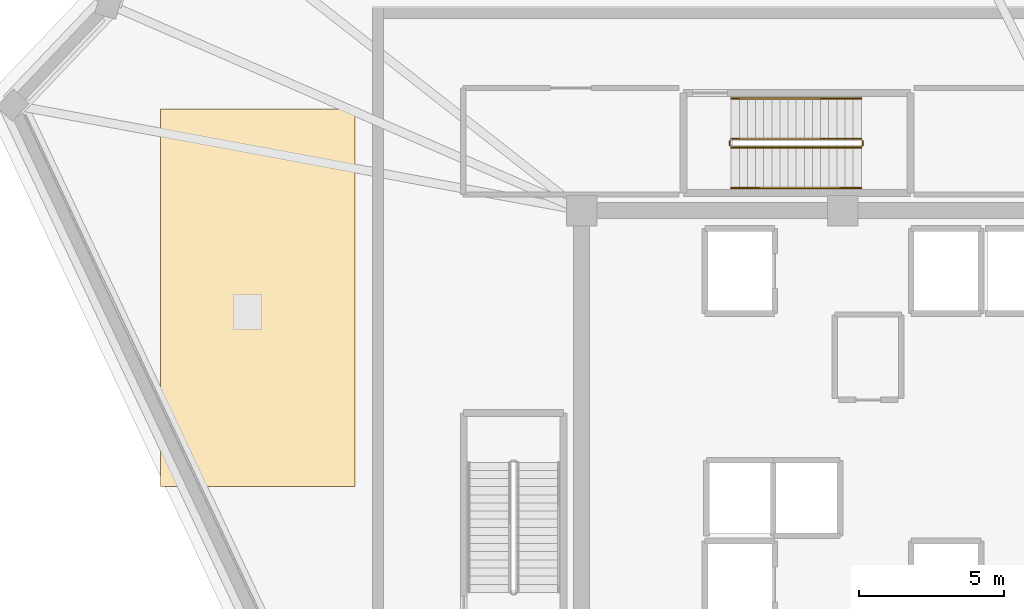
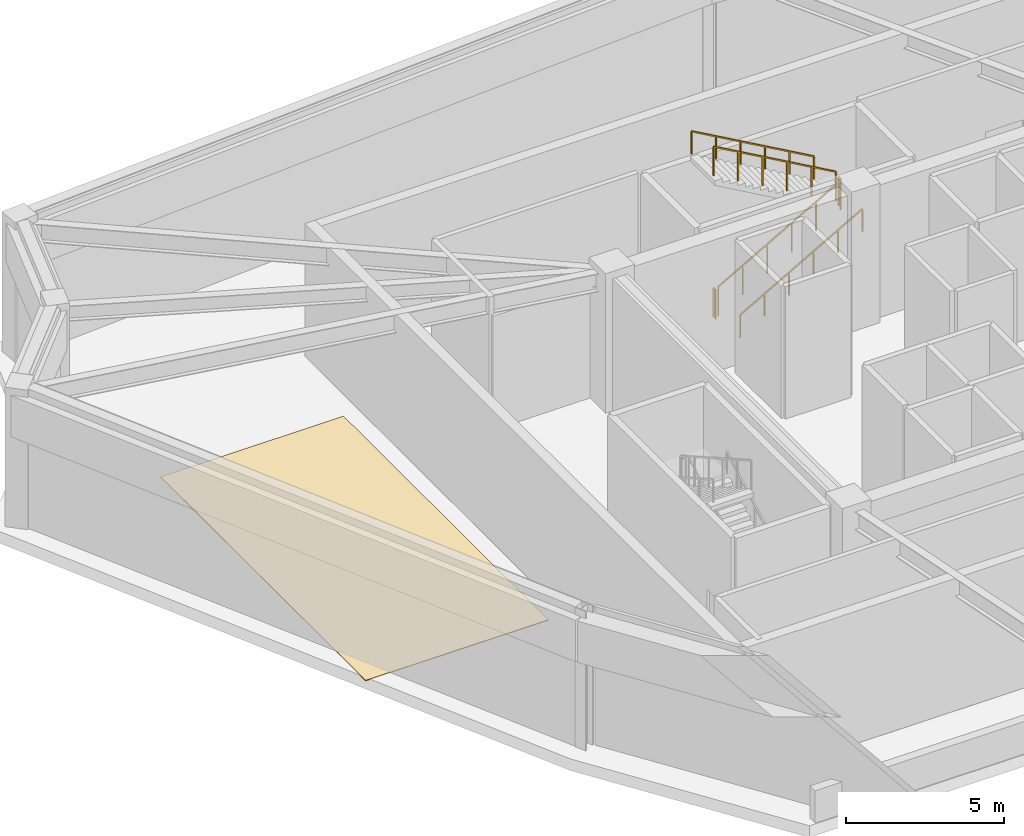
# One storey, part 8 of 8: 6 railings, 1 covering.
"""IFC4 building model written with IfcOpenShell, lengths in metres."""

from ifc_helpers import new_model, si_unit, direction, frame, origin, origin_2d, place, context, subcontext, project, spatial, polyline, rectangle, outline, extrude, material, layer, layer_set, type_object, element, save


model = new_model("IFC4")

# Units and contexts
model_context = context("Model", 3, precision=1e-05, world=origin(), true_north=direction((0.0, 1.0)))
body_context = subcontext(model_context, "Body", "Model", "MODEL_VIEW")
ifc_project = project(units=[si_unit("LENGTHUNIT", "METRE"), si_unit("AREAUNIT", "SQUARE_METRE"), si_unit("VOLUMEUNIT", "CUBIC_METRE"), si_unit("PLANEANGLEUNIT", "RADIAN"), si_unit("MASSUNIT", "GRAM", prefix="KILO")], contexts=[model_context])

# Site, building, storey
site_placement = place(None, origin())
site = spatial("IfcSite", under=ifc_project, at=site_placement, CompositionType="ELEMENT")
building_placement = place(site_placement, origin())
building = spatial("IfcBuilding", under=site, at=building_placement, Name="Liaohun Quay Tower", CompositionType="ELEMENT")
storey_placement = place(building_placement, frame((0.0, 0.0, 360.60009765625)))
storey = spatial("IfcBuildingStorey", under=building, at=storey_placement, Name="L93", CompositionType="ELEMENT", Elevation=360.60009765625)

# Covering
ifc_material_1 = material(Name="SBS waterproof membrane and extruded polystyrene insulation")
ifc_layer = layer(ifc_material_1, 0.030029296875, Name="SBS waterproof membrane and extruded polystyrene insulation")
ifc_layer_set = layer_set([ifc_layer], Name="SBS waterproof membrane and extruded polystyrene insulation")
covering_type = type_object("IfcCoveringType", Name="COV-ROOF-MEM", PredefinedType="ROOFING", material=ifc_layer_set)
covering_placement = place(storey_placement, frame((0.0, 0.0, -0.030029296875)))
element("IfcCovering", 1, at=covering_placement, inside=storey, type_object=covering_type, Name="L93 Pavilion Roof Waterproofing Membrane", PredefinedType="ROOFING", context=body_context, shape_type="SweptSolid", body=[
    extrude(outline(polyline([(36.5, 52.0), (43.199951171875, 52.0), (43.199951171875, 65.0), (36.5, 65.0), (36.5, 52.0)])), origin(), (0.0, 0.0, 1.0), 0.030029296875),
])

# Railings
ifc_material_2 = material(Name="Painted tubular steel", Category="steel")
railing_type_1 = type_object("IfcRailingType", Name="RLG-GUARD-STR", PredefinedType="GUARDRAIL", material=ifc_material_2)
railing_1_placement = place(storey_placement, frame((56.14990234375, 63.669921875, 0.15869140625)))
element("IfcRailing", 2, at=railing_1_placement, inside=storey, type_object=railing_type_1, Name="L93 ST-3 stair guard 1", PredefinedType="GUARDRAIL", context=body_context, shape_type="SweptSolid", body=[
    extrude(rectangle(XDim=0.048095703125, YDim=0.048095703125, at=origin_2d()), frame((0.0, 0.0, 1.1259765625), z_axis=(0.869805229919, 0.0, 0.49339523914), x_axis=(0.0, 1.0, 0.0)), (0.0, 0.0, 1.0), 5.150634765625),
    extrude(rectangle(XDim=0.0419921875, YDim=0.0419921875, at=origin_2d()), origin(), (0.0, 0.0, 1.0), 1.101806640625),
    extrude(rectangle(XDim=0.0419921875, YDim=0.0419921875, at=origin_2d()), frame((0.89599609375, 0.0, 0.50830078125)), (0.0, 0.0, 1.0), 1.101806640625),
    extrude(rectangle(XDim=0.0419921875, YDim=0.0419921875, at=origin_2d()), frame((1.7919921875, 0.0, 1.0166015625)), (0.0, 0.0, 1.0), 1.101806640625),
    extrude(rectangle(XDim=0.0419921875, YDim=0.0419921875, at=origin_2d()), frame((2.68798828125, 0.0, 1.524658203125)), (0.0, 0.0, 1.0), 1.101806640625),
    extrude(rectangle(XDim=0.0419921875, YDim=0.0419921875, at=origin_2d()), frame((3.583984375, 0.0, 2.032958984375)), (0.0, 0.0, 1.0), 1.101806640625),
    extrude(rectangle(XDim=0.0419921875, YDim=0.0419921875, at=origin_2d()), frame((4.47998046875, 0.0, 2.541259765625)), (0.0, 0.0, 1.0), 1.101806640625),
])
railing_2_placement = place(storey_placement, frame((60.679931640625, 63.75, 2.699951171875)))
element("IfcRailing", 3, at=railing_2_placement, inside=storey, type_object=railing_type_1, Name="L93 ST-3 stair guard 2", PredefinedType="GUARDRAIL", context=body_context, shape_type="SweptSolid", body=[
    extrude(rectangle(XDim=0.048095703125, YDim=0.048095703125, at=origin_2d()), frame((0.0, 0.0, 1.1259765625), z_axis=(0.0, 1.0, 0.0), x_axis=(-1.0, 0.0, 0.0)), (0.0, 0.0, 1.0), 0.139892578125),
    extrude(rectangle(XDim=0.0419921875, YDim=0.0419921875, at=origin_2d()), origin(), (0.0, 0.0, 1.0), 1.101806640625),
    extrude(rectangle(XDim=0.0419921875, YDim=0.0419921875, at=origin_2d()), frame((0.0, 0.139892578125, 0.0)), (0.0, 0.0, 1.0), 1.101806640625),
])
railing_3_placement = place(storey_placement, frame((60.6298828125, 63.969970703125, 2.858642578125)))
element("IfcRailing", 4, at=railing_3_placement, inside=storey, type_object=railing_type_1, Name="L93 ST-3 stair guard 3", PredefinedType="GUARDRAIL", context=body_context, shape_type="SweptSolid", body=[
    extrude(rectangle(XDim=0.048095703125, YDim=0.048095703125, at=origin_2d()), frame((0.0, 0.0, 1.1259765625), z_axis=(-0.869805229919, 0.0, 0.49339523914), x_axis=(0.0, -1.0, 0.0)), (0.0, 0.0, 1.0), 5.150634765625),
    extrude(rectangle(XDim=0.0419921875, YDim=0.0419921875, at=origin_2d()), origin(), (0.0, 0.0, 1.0), 1.101806640625),
    extrude(rectangle(XDim=0.0419921875, YDim=0.0419921875, at=origin_2d()), frame((-0.89599609375, 0.0, 0.50830078125)), (0.0, 0.0, 1.0), 1.101806640625),
    extrude(rectangle(XDim=0.0419921875, YDim=0.0419921875, at=origin_2d()), frame((-1.7919921875, 0.0, 1.0166015625)), (0.0, 0.0, 1.0), 1.101806640625),
    extrude(rectangle(XDim=0.0419921875, YDim=0.0419921875, at=origin_2d()), frame((-2.68798828125, 0.0, 1.524658203125)), (0.0, 0.0, 1.0), 1.101806640625),
    extrude(rectangle(XDim=0.0419921875, YDim=0.0419921875, at=origin_2d()), frame((-3.583984375, 0.0, 2.032958984375)), (0.0, 0.0, 1.0), 1.101806640625),
    extrude(rectangle(XDim=0.0419921875, YDim=0.0419921875, at=origin_2d()), frame((-4.47998046875, 0.0, 2.541259765625)), (0.0, 0.0, 1.0), 1.101806640625),
])
railing_4_placement = place(storey_placement, frame((56.10009765625, 63.75, 0.0)))
element("IfcRailing", 5, at=railing_4_placement, inside=storey, type_object=railing_type_1, Name="L93 ST-3 stair guard 4", PredefinedType="GUARDRAIL", context=body_context, shape_type="SweptSolid", body=[
    extrude(rectangle(XDim=0.048095703125, YDim=0.048095703125, at=origin_2d()), frame((0.0, 0.0, 1.1259765625), z_axis=(0.0, 1.0, 0.0), x_axis=(-1.0, 0.0, 0.0)), (0.0, 0.0, 1.0), 0.139892578125),
    extrude(rectangle(XDim=0.0419921875, YDim=0.0419921875, at=origin_2d()), origin(), (0.0, 0.0, 1.0), 1.101806640625),
    extrude(rectangle(XDim=0.0419921875, YDim=0.0419921875, at=origin_2d()), frame((0.0, 0.139892578125, 0.0)), (0.0, 0.0, 1.0), 1.101806640625),
])
ifc_material_3 = material(Name="Brushed stainless steel", Category="steel")
railing_type_2 = type_object("IfcRailingType", Name="RLG-HND-STR", PredefinedType="HANDRAIL", material=ifc_material_3)
railing_5_placement = place(storey_placement, frame((56.14990234375, 62.280029296875, 0.15869140625)))
element("IfcRailing", 6, at=railing_5_placement, inside=storey, type_object=railing_type_2, Name="L93 ST-3 stair handrail 1", PredefinedType="HANDRAIL", context=body_context, shape_type="SweptSolid", body=[
    extrude(rectangle(XDim=0.048095703125, YDim=0.048095703125, at=origin_2d()), frame((0.0, 0.0, 0.8759765625), z_axis=(0.869805229919, 0.0, 0.49339523914), x_axis=(0.0, 1.0, 0.0)), (0.0, 0.0, 1.0), 5.150634765625),
    extrude(rectangle(XDim=0.0419921875, YDim=0.0419921875, at=origin_2d()), origin(), (0.0, 0.0, 1.0), 0.851806640625),
    extrude(rectangle(XDim=0.0419921875, YDim=0.0419921875, at=origin_2d()), frame((0.89599609375, 0.0, 0.50830078125)), (0.0, 0.0, 1.0), 0.851806640625),
    extrude(rectangle(XDim=0.0419921875, YDim=0.0419921875, at=origin_2d()), frame((1.7919921875, 0.0, 1.0166015625)), (0.0, 0.0, 1.0), 0.851806640625),
    extrude(rectangle(XDim=0.0419921875, YDim=0.0419921875, at=origin_2d()), frame((2.68798828125, 0.0, 1.524658203125)), (0.0, 0.0, 1.0), 0.851806640625),
    extrude(rectangle(XDim=0.0419921875, YDim=0.0419921875, at=origin_2d()), frame((3.583984375, 0.0, 2.032958984375)), (0.0, 0.0, 1.0), 0.851806640625),
    extrude(rectangle(XDim=0.0419921875, YDim=0.0419921875, at=origin_2d()), frame((4.47998046875, 0.0, 2.541259765625)), (0.0, 0.0, 1.0), 0.851806640625),
])
railing_6_placement = place(storey_placement, frame((60.6298828125, 65.360107421875, 2.858642578125)))
element("IfcRailing", 7, at=railing_6_placement, inside=storey, type_object=railing_type_2, Name="L93 ST-3 stair handrail 2", PredefinedType="HANDRAIL", context=body_context, shape_type="SweptSolid", body=[
    extrude(rectangle(XDim=0.048095703125, YDim=0.048095703125, at=origin_2d()), frame((0.0, 0.0, 0.8759765625), z_axis=(-0.869805229919, 0.0, 0.49339523914), x_axis=(0.0, -1.0, 0.0)), (0.0, 0.0, 1.0), 5.150634765625),
    extrude(rectangle(XDim=0.0419921875, YDim=0.0419921875, at=origin_2d()), origin(), (0.0, 0.0, 1.0), 0.851806640625),
    extrude(rectangle(XDim=0.0419921875, YDim=0.0419921875, at=origin_2d()), frame((-0.89599609375, 0.0, 0.50830078125)), (0.0, 0.0, 1.0), 0.851806640625),
    extrude(rectangle(XDim=0.0419921875, YDim=0.0419921875, at=origin_2d()), frame((-1.7919921875, 0.0, 1.0166015625)), (0.0, 0.0, 1.0), 0.851806640625),
    extrude(rectangle(XDim=0.0419921875, YDim=0.0419921875, at=origin_2d()), frame((-2.68798828125, 0.0, 1.524658203125)), (0.0, 0.0, 1.0), 0.851806640625),
    extrude(rectangle(XDim=0.0419921875, YDim=0.0419921875, at=origin_2d()), frame((-3.583984375, 0.0, 2.032958984375)), (0.0, 0.0, 1.0), 0.851806640625),
    extrude(rectangle(XDim=0.0419921875, YDim=0.0419921875, at=origin_2d()), frame((-4.47998046875, 0.0, 2.541259765625)), (0.0, 0.0, 1.0), 0.851806640625),
])

save(model, "model.ifc")
